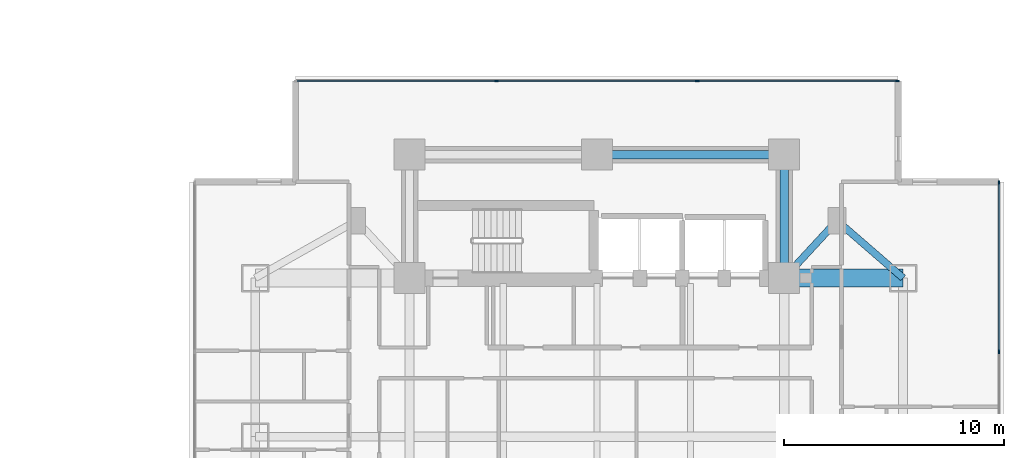
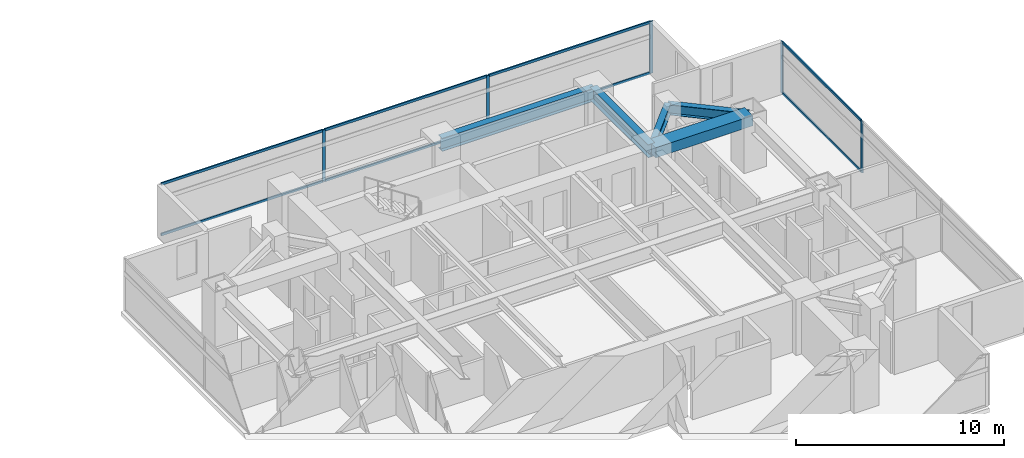
# One storey, part 10 of 23: 13 members, 5 beams, 2 elements without a shape of their own.
"""IFC4 building model written with IfcOpenShell, lengths in metres."""

from ifc_helpers import new_model, si_unit, direction, frame, origin, origin_2d, place, context, subcontext, project, spatial, rectangle, i_section, extrude, material, material_profile, profile_set, type_object, element, aggregate, save


model = new_model("IFC4")

# Units and contexts
model_context = context("Model", 3, precision=1e-05, world=origin(), true_north=direction((0.0, 1.0)))
body_context = subcontext(model_context, "Body", "Model", "MODEL_VIEW")
ifc_project = project(units=[si_unit("LENGTHUNIT", "METRE"), si_unit("AREAUNIT", "SQUARE_METRE"), si_unit("VOLUMEUNIT", "CUBIC_METRE"), si_unit("PLANEANGLEUNIT", "RADIAN"), si_unit("MASSUNIT", "GRAM", prefix="KILO")], contexts=[model_context])

# Site, building, storey
site_placement = place(None, origin())
site = spatial("IfcSite", under=ifc_project, at=site_placement, CompositionType="ELEMENT")
building_placement = place(site_placement, origin())
building = spatial("IfcBuilding", under=site, at=building_placement, Name="Mirazonda Arch Towers", CompositionType="ELEMENT")
storey_placement = place(building_placement, frame((0.0, 0.0, 29.0)))
storey = spatial("IfcBuildingStorey", under=building, at=storey_placement, Name="L07", CompositionType="ELEMENT", Elevation=29.0)

# Beams
ifc_material_1 = material(Name="Steel ASTM A992 Grade 50", Category="steel")
ifc_material_profile_1 = material_profile(ifc_material_1, i_section(OverallWidth=0.324951171875, OverallDepth=0.615966796875, WebThickness=0.013916015625, FlangeThickness=0.021484375, at=origin_2d()), Name="W24X117")
ifc_profile_set_1 = profile_set([ifc_material_profile_1], Name="Steel ASTM A992 Grade 50")
beam_type_1 = type_object("IfcBeamType", Name="BM-INT-W24X117", PredefinedType="BEAM", material=ifc_profile_set_1)
beam_1_placement = place(storey_placement, frame((87.39990234375, 37.800048828125, 2.751953125), z_axis=(-0.678251444854, -0.734829897019, 0.0), x_axis=(0.734829897019, -0.678251444854, 0.0)))
element("IfcBeam", 1, at=beam_1_placement, inside=storey, type_object=beam_type_1, Name="L07 Floor Beam BM-T2-L07-PL-NE1", PredefinedType="BEAM", context=body_context, shape_type="SweptSolid", body=[
    extrude(i_section(OverallWidth=0.324951171875, OverallDepth=0.615966796875, WebThickness=0.013916015625, FlangeThickness=0.021484375, at=origin_2d()), origin(), (0.0, 0.0, 1.0), 3.538330078125),
])
beam_2_placement = place(storey_placement, frame((87.39990234375, 37.800048828125, 2.751953125), z_axis=(0.755676908098, -0.654944585876, 0.0), x_axis=(0.654944585876, 0.755676908098, 0.0)))
element("IfcBeam", 2, at=beam_2_placement, inside=storey, type_object=beam_type_1, Name="L07 Floor Beam BM-T2-L07-PL-NE2", PredefinedType="BEAM", context=body_context, shape_type="SweptSolid", body=[
    extrude(i_section(OverallWidth=0.324951171875, OverallDepth=0.615966796875, WebThickness=0.013916015625, FlangeThickness=0.021484375, at=origin_2d()), origin(), (0.0, 0.0, 1.0), 3.969970703125),
])
ifc_material_profile_2 = material_profile(ifc_material_1, i_section(OverallWidth=0.381103515625, OverallDepth=0.77294921875, WebThickness=0.0166015625, FlangeThickness=0.027099609375, at=origin_2d()), Name="W30X173")
ifc_profile_set_2 = profile_set([ifc_material_profile_2], Name="Steel ASTM A992 Grade 50")
beam_type_2 = type_object("IfcBeamType", Name="BM-INT-W30X173", PredefinedType="USERDEFINED", material=ifc_profile_set_2)
beam_3_placement = place(storey_placement, frame((76.5, 40.800048828125, 2.673583984375), z_axis=(1.0, 0.0, 0.0), x_axis=(0.0, 1.0, 0.0)))
element("IfcBeam", 3, at=beam_3_placement, inside=storey, type_object=beam_type_2, Name="L07 Floor Beam BM-T2-L07-CN2", ObjectType="GIRDER", PredefinedType="USERDEFINED", context=body_context, shape_type="SweptSolid", body=[
    extrude(i_section(OverallWidth=0.381103515625, OverallDepth=0.77294921875, WebThickness=0.0166015625, FlangeThickness=0.027099609375, at=origin_2d()), origin(), (0.0, 0.0, 1.0), 8.5),
])
beam_4_placement = place(storey_placement, frame((85.0, 35.199951171875, 2.673583984375), z_axis=(0.0, 1.0, 0.0), x_axis=(-1.0, 0.0, 0.0)))
element("IfcBeam", 4, at=beam_4_placement, inside=storey, type_object=beam_type_2, Name="L07 Floor Beam BM-T2-L07-CNE", ObjectType="GIRDER", PredefinedType="USERDEFINED", context=body_context, shape_type="SweptSolid", body=[
    extrude(i_section(OverallWidth=0.381103515625, OverallDepth=0.77294921875, WebThickness=0.0166015625, FlangeThickness=0.027099609375, at=origin_2d()), origin(), (0.0, 0.0, 1.0), 5.60009765625),
])
ifc_material_2 = material(Name="Concrete C60/75", Category="concrete")
ifc_material_profile_3 = material_profile(ifc_material_2, rectangle(XDim=0.800048828125, YDim=0.60009765625, at=origin_2d()), Name="RCCB800x600")
ifc_profile_set_3 = profile_set([ifc_material_profile_3], Name="Concrete C60/75")
beam_type_3 = type_object("IfcBeamType", Name="CB-INT-RCCB800x600", PredefinedType="SPANDREL", material=ifc_profile_set_3)
beam_5_placement = place(storey_placement, frame((85.0, 35.199951171875, 2.760009765625), z_axis=(1.0, 0.0, 0.0), x_axis=(0.0, 1.0, 0.0)))
element("IfcBeam", 5, at=beam_5_placement, inside=storey, type_object=beam_type_3, Name="L07 Floor Beam CBC-T2-L07-NE", PredefinedType="SPANDREL", context=body_context, shape_type="SweptSolid", body=[
    extrude(rectangle(XDim=0.800048828125, YDim=0.60009765625, at=origin_2d()), origin(), (0.0, 0.0, 1.0), 5.39990234375),
])

# Curtain wall, members
ifc_material_3 = material(Name="Anodised Aluminium and Low-E Glass", Category="aluminium")
curtain_wall_type = type_object("IfcCurtainWallType", Name="CW-HTL-UNIT", PredefinedType="NOTDEFINED", material=ifc_material_3)
curtain_wall_1_placement = place(storey_placement, origin())
curtain_wall_1 = element("IfcCurtainWall", 6, at=curtain_wall_1_placement, inside=storey, type_object=curtain_wall_type, Name="L07 T2 E Facade CW-L07-T2-E", PredefinedType="NOTDEFINED")
ifc_material_4 = material(Name="Anodised Aluminium Alloy", Category="aluminium")
ifc_material_profile_4 = material_profile(ifc_material_4, rectangle(XDim=0.074951171875, YDim=0.1650390625, at=origin_2d()), Name="ALU-MULL-75x165")
ifc_profile_set_4 = profile_set([ifc_material_profile_4], Name="Anodised Aluminium Alloy")
member_type_1 = type_object("IfcMemberType", Name="MULL-CW-HTL-UNIT", PredefinedType="MULLION", material=ifc_profile_set_4)
member_1_placement = place(storey_placement, frame((94.756103515625, 31.85546875, 0.0), z_axis=(0.0, 0.0, 1.0), x_axis=(-1.0, 0.0, 0.0)))
member_1 = element("IfcMember", 7, at=member_1_placement, type_object=member_type_1, Name="CW-112 mullion 3", PredefinedType="MULLION", context=body_context, shape_type="SweptSolid", body=[
    extrude(rectangle(XDim=0.074951171875, YDim=0.1650390625, at=origin_2d()), origin(), (0.0, 0.0, 1.0), 3.0400390625),
])
member_2_placement = place(storey_placement, frame((94.756103515625, 39.529052734375, 0.0), z_axis=(0.0, 0.0, 1.0), x_axis=(-1.0, 0.0, 0.0)))
member_2 = element("IfcMember", 8, at=member_2_placement, type_object=member_type_1, Name="CW-112 mullion 4", PredefinedType="MULLION", context=body_context, shape_type="SweptSolid", body=[
    extrude(rectangle(XDim=0.074951171875, YDim=0.1650390625, at=origin_2d()), origin(), (0.0, 0.0, 1.0), 3.0400390625),
])

curtain_wall_2_placement = place(storey_placement, origin())
curtain_wall_2 = element("IfcCurtainWall", 9, at=curtain_wall_2_placement, inside=storey, type_object=curtain_wall_type, Name="L07 T2 N Facade CW-L07-T2-N", PredefinedType="NOTDEFINED")
member_3_placement = place(storey_placement, frame((71.94140625, 44.146484375, 0.0), z_axis=(0.0, 0.0, 1.0), x_axis=(0.0, 1.0, 0.0)))
member_3 = element("IfcMember", 10, at=member_3_placement, type_object=member_type_1, Name="CW-112 mullion 2", PredefinedType="MULLION", context=body_context, shape_type="SweptSolid", body=[
    extrude(rectangle(XDim=0.074951171875, YDim=0.1650390625, at=origin_2d()), origin(), (0.0, 0.0, 1.0), 3.0400390625),
])
member_4_placement = place(storey_placement, frame((81.05859375, 44.146484375, 0.0), z_axis=(0.0, 0.0, 1.0), x_axis=(0.0, 1.0, 0.0)))
member_4 = element("IfcMember", 11, at=member_4_placement, type_object=member_type_1, Name="CW-112 mullion 3", PredefinedType="MULLION", context=body_context, shape_type="SweptSolid", body=[
    extrude(rectangle(XDim=0.074951171875, YDim=0.1650390625, at=origin_2d()), origin(), (0.0, 0.0, 1.0), 3.0400390625),
])
member_5_placement = place(storey_placement, frame((90.138427734375, 44.146484375, 0.0), z_axis=(0.0, 0.0, 1.0), x_axis=(0.0, 1.0, 0.0)))
member_5 = element("IfcMember", 12, at=member_5_placement, type_object=member_type_1, Name="CW-112 mullion 4", PredefinedType="MULLION", context=body_context, shape_type="SweptSolid", body=[
    extrude(rectangle(XDim=0.074951171875, YDim=0.1650390625, at=origin_2d()), origin(), (0.0, 0.0, 1.0), 3.0400390625),
])

# Member
ifc_material_profile_5 = material_profile(ifc_material_4, rectangle(XDim=0.074951171875, YDim=0.14501953125, at=origin_2d()), Name="ALU-TRAN-75x145")
ifc_profile_set_5 = profile_set([ifc_material_profile_5], Name="Anodised Aluminium Alloy")
member_type_2 = type_object("IfcMemberType", Name="TRAN-CW-HTL-UNIT", PredefinedType="USERDEFINED", material=ifc_profile_set_5)
member_6_placement = place(storey_placement, frame((94.756103515625, 31.89306640625, 0.03759765625), z_axis=(0.0, 1.0, 0.0), x_axis=(-1.0, 0.0, 0.0)))
member_6 = element("IfcMember", 13, at=member_6_placement, type_object=member_type_2, Name="CW-112 transom 3.1", ObjectType="TRANSOM", PredefinedType="USERDEFINED", context=body_context, shape_type="SweptSolid", body=[
    extrude(rectangle(XDim=0.074951171875, YDim=0.14501953125, at=origin_2d()), origin(), (0.0, 0.0, 1.0), 7.5986328125),
])

member_7_placement = place(storey_placement, frame((94.756103515625, 31.89306640625, 3.00244140625), z_axis=(0.0, 1.0, 0.0), x_axis=(-1.0, 0.0, 0.0)))
member_7 = element("IfcMember", 14, at=member_7_placement, type_object=member_type_2, Name="CW-112 transom 3.2", ObjectType="TRANSOM", PredefinedType="USERDEFINED", context=body_context, shape_type="SweptSolid", body=[
    extrude(rectangle(XDim=0.074951171875, YDim=0.14501953125, at=origin_2d()), origin(), (0.0, 0.0, 1.0), 7.5986328125),
])

aggregate(curtain_wall_1, [member_1, member_2, member_6, member_7])

member_8_placement = place(storey_placement, frame((62.89892578125, 44.146484375, 0.03759765625), z_axis=(1.0, 0.0, 0.0), x_axis=(0.0, 1.0, 0.0)))
member_8 = element("IfcMember", 15, at=member_8_placement, type_object=member_type_2, Name="CW-112 transom 1.1", ObjectType="TRANSOM", PredefinedType="USERDEFINED", context=body_context, shape_type="SweptSolid", body=[
    extrude(rectangle(XDim=0.074951171875, YDim=0.14501953125, at=origin_2d()), origin(), (0.0, 0.0, 1.0), 9.0048828125),
])

member_9_placement = place(storey_placement, frame((62.89892578125, 44.146484375, 3.00244140625), z_axis=(1.0, 0.0, 0.0), x_axis=(0.0, 1.0, 0.0)))
member_9 = element("IfcMember", 16, at=member_9_placement, type_object=member_type_2, Name="CW-112 transom 1.2", ObjectType="TRANSOM", PredefinedType="USERDEFINED", context=body_context, shape_type="SweptSolid", body=[
    extrude(rectangle(XDim=0.074951171875, YDim=0.14501953125, at=origin_2d()), origin(), (0.0, 0.0, 1.0), 9.0048828125),
])

member_10_placement = place(storey_placement, frame((71.978759765625, 44.146484375, 0.03759765625), z_axis=(1.0, 0.0, 0.0), x_axis=(0.0, 1.0, 0.0)))
member_10 = element("IfcMember", 17, at=member_10_placement, type_object=member_type_2, Name="CW-112 transom 2.1", ObjectType="TRANSOM", PredefinedType="USERDEFINED", context=body_context, shape_type="SweptSolid", body=[
    extrude(rectangle(XDim=0.074951171875, YDim=0.14501953125, at=origin_2d()), origin(), (0.0, 0.0, 1.0), 9.04248046875),
])

member_11_placement = place(storey_placement, frame((71.978759765625, 44.146484375, 3.00244140625), z_axis=(1.0, 0.0, 0.0), x_axis=(0.0, 1.0, 0.0)))
member_11 = element("IfcMember", 18, at=member_11_placement, type_object=member_type_2, Name="CW-112 transom 2.2", ObjectType="TRANSOM", PredefinedType="USERDEFINED", context=body_context, shape_type="SweptSolid", body=[
    extrude(rectangle(XDim=0.074951171875, YDim=0.14501953125, at=origin_2d()), origin(), (0.0, 0.0, 1.0), 9.04248046875),
])

member_12_placement = place(storey_placement, frame((81.09619140625, 44.146484375, 0.03759765625), z_axis=(1.0, 0.0, 0.0), x_axis=(0.0, 1.0, 0.0)))
member_12 = element("IfcMember", 19, at=member_12_placement, type_object=member_type_2, Name="CW-112 transom 3.1", ObjectType="TRANSOM", PredefinedType="USERDEFINED", context=body_context, shape_type="SweptSolid", body=[
    extrude(rectangle(XDim=0.074951171875, YDim=0.14501953125, at=origin_2d()), origin(), (0.0, 0.0, 1.0), 9.0048828125),
])

member_13_placement = place(storey_placement, frame((81.09619140625, 44.146484375, 3.00244140625), z_axis=(1.0, 0.0, 0.0), x_axis=(0.0, 1.0, 0.0)))
member_13 = element("IfcMember", 20, at=member_13_placement, type_object=member_type_2, Name="CW-112 transom 3.2", ObjectType="TRANSOM", PredefinedType="USERDEFINED", context=body_context, shape_type="SweptSolid", body=[
    extrude(rectangle(XDim=0.074951171875, YDim=0.14501953125, at=origin_2d()), origin(), (0.0, 0.0, 1.0), 9.0048828125),
])

aggregate(curtain_wall_2, [member_3, member_4, member_5, member_8, member_9, member_10, member_11, member_12, member_13])

save(model, "model.ifc")
